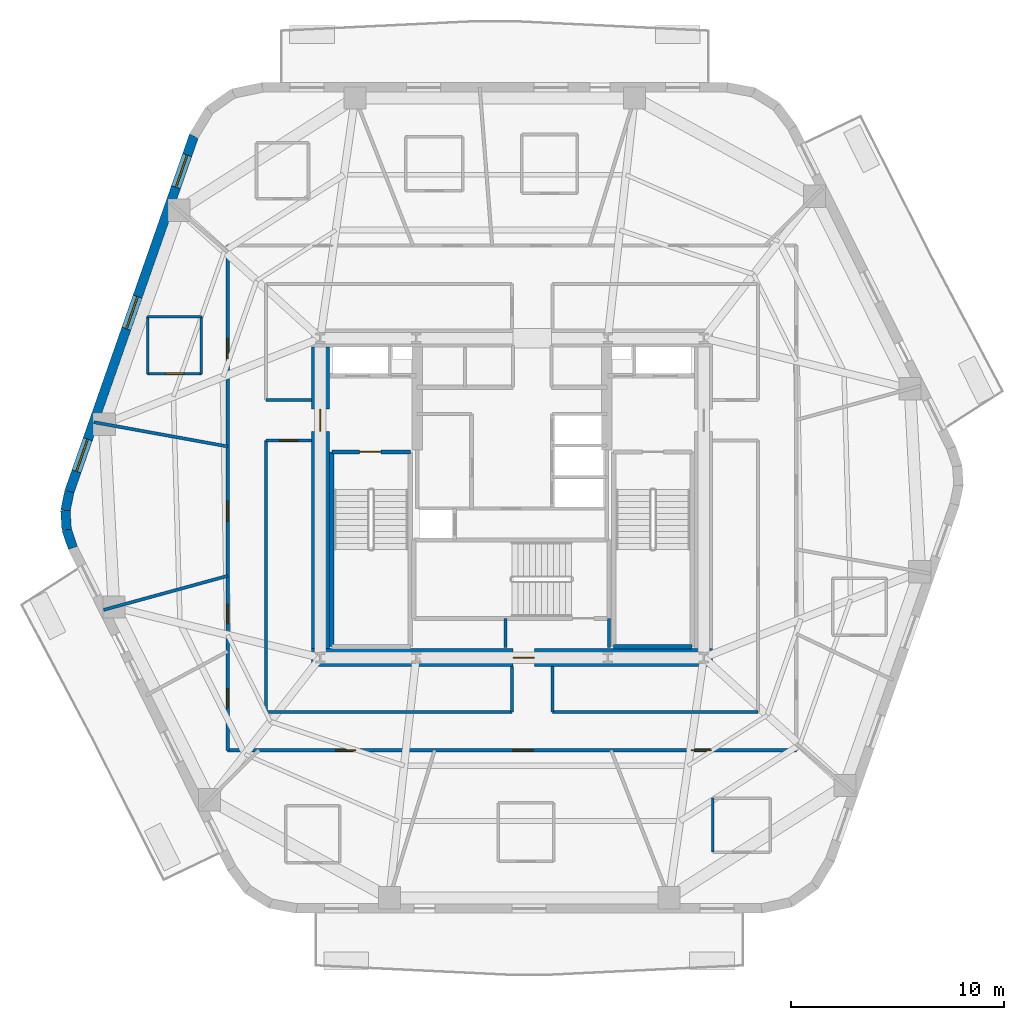
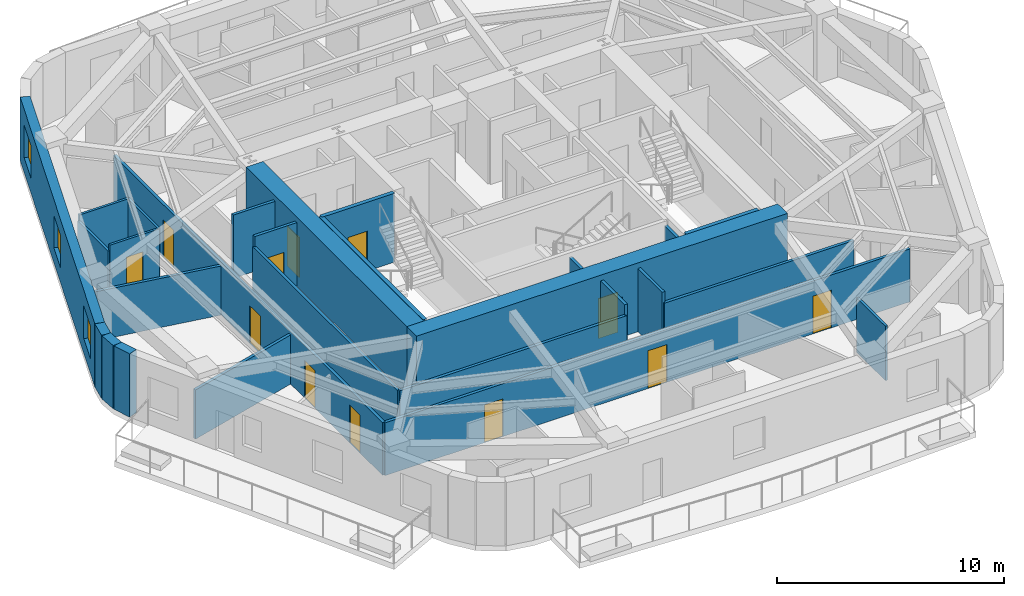
# One storey, part 3 of 10: 27 walls, 12 doors, 3 windows, 15 openings.
"""IFC4 building model written with IfcOpenShell, lengths in metres."""

from ifc_helpers import new_model, si_unit, direction, frame, frame_2d, origin, place, context, subcontext, project, spatial, rectangle, extrude, material, layer, layer_set, type_object, element, fill, save


model = new_model("IFC4")

# Units and contexts
model_context = context("Model", 3, precision=1e-05, world=origin(), true_north=direction((0.0, 1.0)))
body_context = subcontext(model_context, "Body", "Model", "MODEL_VIEW")
ifc_project = project(units=[si_unit("LENGTHUNIT", "METRE"), si_unit("AREAUNIT", "SQUARE_METRE"), si_unit("VOLUMEUNIT", "CUBIC_METRE"), si_unit("PLANEANGLEUNIT", "RADIAN"), si_unit("MASSUNIT", "GRAM", prefix="KILO")], contexts=[model_context])

# Site, building, storey
site_placement = place(None, origin())
site = spatial("IfcSite", under=ifc_project, at=site_placement, CompositionType="ELEMENT")
building_placement = place(site_placement, origin())
building = spatial("IfcBuilding", under=site, at=building_placement, Name="Kilnhurst Terrace Hotel", CompositionType="ELEMENT")
storey_placement = place(building_placement, frame((0.0, 0.0, 148.0)))
storey = spatial("IfcBuildingStorey", under=building, at=storey_placement, Name="L36", CompositionType="ELEMENT", Elevation=148.0)

# Walls
ifc_material_1 = material(Name="Precast concrete C40/50", Category="concrete")
ifc_layer_1 = layer(ifc_material_1, 0.449951171875, Name="Precast concrete C40/50")
ifc_layer_set_1 = layer_set([ifc_layer_1], Name="Precast concrete C40/50")
wall_type_1 = type_object("IfcWallType", Name="WL-BRK-450", PredefinedType="SOLIDWALL", material=ifc_layer_set_1)
wall_1_placement = place(storey_placement, frame((-20.78173828125, 0.298095703125, 0.0), z_axis=(0.0, 0.0, 1.0), x_axis=(-0.202570068411, -0.979267771033, 0.0)))
element("IfcWall", 1, at=wall_1_placement, inside=storey, type_object=wall_type_1, Name="L36 Rounded Corner Brick Wall C6.1", PredefinedType="SOLIDWALL", context=body_context, shape_type="SweptSolid", body=[
    extrude(rectangle(XDim=0.90869140625, YDim=0.449951171875, at=frame_2d((0.454345703125, 0.0))), origin(), (0.0, 0.0, 1.0), 3.39990234375),
])
wall_2_placement = place(storey_placement, frame((-20.9658203125, -0.591796875, 0.0), z_axis=(0.0, 0.0, 1.0), x_axis=(0.061748898935, -0.998091715966, 0.0)))
element("IfcWall", 2, at=wall_2_placement, inside=storey, type_object=wall_type_1, Name="L36 Rounded Corner Brick Wall C6.2", PredefinedType="SOLIDWALL", context=body_context, shape_type="SweptSolid", body=[
    extrude(rectangle(XDim=0.8935546875, YDim=0.449951171875, at=frame_2d((0.44677734375, 0.0))), origin(), (0.0, 0.0, 1.0), 3.39990234375),
])
wall_3_placement = place(storey_placement, frame((-20.91064453125, -1.483642578125, 0.0), z_axis=(0.0, 0.0, 1.0), x_axis=(0.321623334353, -0.946867694453, 0.0)))
element("IfcWall", 3, at=wall_3_placement, inside=storey, type_object=wall_type_1, Name="L36 Rounded Corner Brick Wall C6.3", PredefinedType="SOLIDWALL", context=body_context, shape_type="SweptSolid", body=[
    extrude(rectangle(XDim=0.90869140625, YDim=0.449951171875, at=frame_2d((0.454345703125, 0.0))), origin(), (0.0, 0.0, 1.0), 3.39990234375),
])

# Wall, openings, windows
wall_4_placement = place(storey_placement, frame((-14.936767578125, 16.993408203125, 0.0), z_axis=(0.0, 0.0, 1.0), x_axis=(-0.330431575061, -0.943829949834, 0.0)))
wall_4 = element("IfcWall", 4, at=wall_4_placement, inside=storey, type_object=wall_type_1, Name="L36 Exterior Brick Facade Wall F5", PredefinedType="SOLIDWALL", context=body_context, shape_type="SweptSolid", body=[
    extrude(rectangle(XDim=17.68896484375, YDim=0.449951171875, at=frame_2d((8.844482421875, 0.0))), origin(), (0.0, 0.0, 1.0), 3.39990234375),
])
opening_1_placement = place(wall_4_placement, frame((0.949951171875, 0.0, 0.800048828125)))
opening_1 = element("IfcOpeningElement", 5, at=opening_1_placement, cuts=wall_4, Name="Opening W-05", PredefinedType="OPENING", context=body_context, shape_type="SweptSolid", body=[
    extrude(rectangle(XDim=1.60009765625, YDim=1.75, at=frame_2d((0.800048828125, 0.875))), frame((0.0, 0.23486328125, 0.0), z_axis=(0.0, -1.0, 0.0), x_axis=(1.0, 0.0, 0.0)), (0.0, 0.0, 1.0), 0.469970703125),
])
opening_2_placement = place(wall_4_placement, frame((7.989990234375, 0.0, 0.800048828125)))
opening_2 = element("IfcOpeningElement", 6, at=opening_2_placement, cuts=wall_4, Name="Opening W-05", PredefinedType="OPENING", context=body_context, shape_type="SweptSolid", body=[
    extrude(rectangle(XDim=1.60009765625, YDim=1.75, at=frame_2d((0.800048828125, 0.875))), frame((0.0, 0.23486328125, 0.0), z_axis=(0.0, -1.0, 0.0), x_axis=(1.0, 0.0, 0.0)), (0.0, 0.0, 1.0), 0.469970703125),
])
opening_3_placement = place(wall_4_placement, frame((15.083984375, 0.0, 0.800048828125)))
opening_3 = element("IfcOpeningElement", 7, at=opening_3_placement, cuts=wall_4, Name="Opening W-05", PredefinedType="OPENING", context=body_context, shape_type="SweptSolid", body=[
    extrude(rectangle(XDim=1.60009765625, YDim=1.75, at=frame_2d((0.800048828125, 0.875))), frame((0.0, 0.23486328125, 0.0), z_axis=(0.0, -1.0, 0.0), x_axis=(1.0, 0.0, 0.0)), (0.0, 0.0, 1.0), 0.469970703125),
])
ifc_material_2 = material(Name="Thermally Broken Bronze Aluminium Alloy 6063-T6 and Low-E Glass", Category="aluminium")
window_type = type_object("IfcWindowType", Name="WIN-1600X1750", PartitioningType="SINGLE_PANEL", PredefinedType="WINDOW", material=ifc_material_2)
window_1_placement = place(opening_1_placement, origin())
window_1 = element("IfcWindow", 8, at=window_1_placement, inside=storey, type_object=window_type, Name="L36 Deep-Set Masonry Window F5.1", OverallHeight=1.75, OverallWidth=1.60009765625, PartitioningType="SINGLE_PANEL", PredefinedType="WINDOW", context=body_context, shape_type="SweptSolid", body=[
    extrude(rectangle(XDim=1.60009765625, YDim=1.75, at=frame_2d((0.800048828125, 0.875))), frame((0.0, 0.030029296875, 0.0), z_axis=(0.0, -1.0, 0.0), x_axis=(1.0, 0.0, 0.0)), (0.0, 0.0, 1.0), 0.06005859375),
])
fill(opening_1, window_1)
window_2_placement = place(opening_2_placement, origin())
window_2 = element("IfcWindow", 9, at=window_2_placement, inside=storey, type_object=window_type, Name="L36 Deep-Set Masonry Window F5.2", OverallHeight=1.75, OverallWidth=1.60009765625, PartitioningType="SINGLE_PANEL", PredefinedType="WINDOW", context=body_context, shape_type="SweptSolid", body=[
    extrude(rectangle(XDim=1.60009765625, YDim=1.75, at=frame_2d((0.800048828125, 0.875))), frame((0.0, 0.030029296875, 0.0), z_axis=(0.0, -1.0, 0.0), x_axis=(1.0, 0.0, 0.0)), (0.0, 0.0, 1.0), 0.06005859375),
])
fill(opening_2, window_2)
window_3_placement = place(opening_3_placement, origin())
window_3 = element("IfcWindow", 10, at=window_3_placement, inside=storey, type_object=window_type, Name="L36 Deep-Set Masonry Window F5.3", OverallHeight=1.75, OverallWidth=1.60009765625, PartitioningType="SINGLE_PANEL", PredefinedType="WINDOW", context=body_context, shape_type="SweptSolid", body=[
    extrude(rectangle(XDim=1.60009765625, YDim=1.75, at=frame_2d((0.800048828125, 0.875))), frame((0.0, 0.030029296875, 0.0), z_axis=(0.0, -1.0, 0.0), x_axis=(1.0, 0.0, 0.0)), (0.0, 0.0, 1.0), 0.06005859375),
])
fill(opening_3, window_3)

# Wall, openings, doors
ifc_material_3 = material(Name="Acoustic Double-Gypsum Corridor Partition Assembly")
ifc_layer_2 = layer(ifc_material_3, 0.14990234375, Name="Acoustic Double-Gypsum Corridor Partition Assembly")
ifc_layer_set_2 = layer_set([ifc_layer_2], Name="Acoustic Double-Gypsum Corridor Partition Assembly")
wall_type_2 = type_object("IfcWallType", Name="WL-COR-150", PredefinedType="PARTITIONING", material=ifc_layer_set_2)
wall_5_placement = place(storey_placement, frame((13.35009765625, -11.85009765625, 0.0), z_axis=(0.0, 0.0, 1.0), x_axis=(-1.0, 0.0, 0.0)))
wall_5 = element("IfcWall", 11, at=wall_5_placement, inside=storey, type_object=wall_type_2, Name="L36 Interior Wall WL-L36-COR-01", PredefinedType="PARTITIONING", context=body_context, shape_type="SweptSolid", body=[
    extrude(rectangle(XDim=26.7001953125, YDim=0.14990234375, at=frame_2d((13.35009765625, 0.0))), origin(), (0.0, 0.0, 1.0), 2.840087890625),
])
opening_4_placement = place(wall_5_placement, frame((20.681884765625, 0.0, 0.0)))
opening_4 = element("IfcOpeningElement", 12, at=opening_4_placement, cuts=wall_5, Name="Opening D-60B", PredefinedType="OPENING", context=body_context, shape_type="SweptSolid", body=[
    extrude(rectangle(XDim=0.949951171875, YDim=2.030029296875, at=frame_2d((0.47509765625, 1.01513671875))), frame((0.0, 0.0849609375, 0.0), z_axis=(0.0, -1.0, 0.0), x_axis=(1.0, 0.0, 0.0)), (0.0, 0.0, 1.0), 0.169921875),
])
opening_5_placement = place(wall_5_placement, frame((12.362060546875, 0.0, 0.0)))
opening_5 = element("IfcOpeningElement", 13, at=opening_5_placement, cuts=wall_5, Name="Opening D-60B", PredefinedType="OPENING", context=body_context, shape_type="SweptSolid", body=[
    extrude(rectangle(XDim=0.949951171875, YDim=2.030029296875, at=frame_2d((0.47509765625, 1.01513671875))), frame((0.0, 0.0849609375, 0.0), z_axis=(0.0, -1.0, 0.0), x_axis=(1.0, 0.0, 0.0)), (0.0, 0.0, 1.0), 0.169921875),
])
opening_6_placement = place(wall_5_placement, frame((3.9951171875, 0.0, 0.0)))
opening_6 = element("IfcOpeningElement", 14, at=opening_6_placement, cuts=wall_5, Name="Opening D-60B", PredefinedType="OPENING", context=body_context, shape_type="SweptSolid", body=[
    extrude(rectangle(XDim=0.949951171875, YDim=2.030029296875, at=frame_2d((0.47509765625, 1.01513671875))), frame((0.0, 0.0849609375, 0.0), z_axis=(0.0, -1.0, 0.0), x_axis=(1.0, 0.0, 0.0)), (0.0, 0.0, 1.0), 0.169921875),
])
ifc_material_4 = material(Name="Acoustic Walnut Veneer Solid-Core Fire Door")
door_type_1 = type_object("IfcDoorType", Name="DR-FD60-950", OperationType="NOTDEFINED", PredefinedType="DOOR", material=ifc_material_4)
door_1_placement = place(opening_4_placement, origin())
door_1 = element("IfcDoor", 15, at=door_1_placement, inside=storey, type_object=door_type_1, Name="L36 Executive Suite Entry Door 10", OperationType="SINGLE_SWING_RIGHT", OverallHeight=2.030029296875, OverallWidth=0.949951171875, PredefinedType="DOOR", context=body_context, shape_type="SweptSolid", body=[
    extrude(rectangle(XDim=0.949951171875, YDim=2.030029296875, at=frame_2d((0.47509765625, 1.01513671875))), frame((0.0, 0.02490234375, 0.0), z_axis=(0.0, -1.0, 0.0), x_axis=(1.0, 0.0, 0.0)), (0.0, 0.0, 1.0), 0.050048828125),
])
fill(opening_4, door_1)
door_2_placement = place(opening_5_placement, origin())
door_2 = element("IfcDoor", 16, at=door_2_placement, inside=storey, type_object=door_type_1, Name="L36 Executive Suite Entry Door 11", OperationType="SINGLE_SWING_LEFT", OverallHeight=2.030029296875, OverallWidth=0.949951171875, PredefinedType="DOOR", context=body_context, shape_type="SweptSolid", body=[
    extrude(rectangle(XDim=0.949951171875, YDim=2.030029296875, at=frame_2d((0.47509765625, 1.01513671875))), frame((0.0, 0.02490234375, 0.0), z_axis=(0.0, -1.0, 0.0), x_axis=(1.0, 0.0, 0.0)), (0.0, 0.0, 1.0), 0.050048828125),
])
fill(opening_5, door_2)
door_3_placement = place(opening_6_placement, origin())
door_3 = element("IfcDoor", 17, at=door_3_placement, inside=storey, type_object=door_type_1, Name="L36 Executive Suite Entry Door 12", OperationType="SINGLE_SWING_RIGHT", OverallHeight=2.030029296875, OverallWidth=0.949951171875, PredefinedType="DOOR", context=body_context, shape_type="SweptSolid", body=[
    extrude(rectangle(XDim=0.949951171875, YDim=2.030029296875, at=frame_2d((0.47509765625, 1.01513671875))), frame((0.0, 0.02490234375, 0.0), z_axis=(0.0, -1.0, 0.0), x_axis=(1.0, 0.0, 0.0)), (0.0, 0.0, 1.0), 0.050048828125),
])
fill(opening_6, door_3)

wall_6_placement = place(storey_placement, frame((-13.35009765625, -11.85009765625, 0.0), z_axis=(0.0, 0.0, 1.0), x_axis=(0.0, 1.0, 0.0)))
wall_6 = element("IfcWall", 18, at=wall_6_placement, inside=storey, type_object=wall_type_2, Name="L36 Interior Wall WL-L36-COR-02", PredefinedType="PARTITIONING", context=body_context, shape_type="SweptSolid", body=[
    extrude(rectangle(XDim=23.7001953125, YDim=0.14990234375, at=frame_2d((11.85009765625, 0.0))), origin(), (0.0, 0.0, 1.0), 2.840087890625),
])
opening_7_placement = place(wall_6_placement, frame((18.388916015625, 0.0, 0.0)))
opening_7 = element("IfcOpeningElement", 19, at=opening_7_placement, cuts=wall_6, Name="Opening D-60B", PredefinedType="OPENING", context=body_context, shape_type="SweptSolid", body=[
    extrude(rectangle(XDim=0.949951171875, YDim=2.030029296875, at=frame_2d((0.47509765625, 1.01513671875))), frame((0.0, 0.0849609375, 0.0), z_axis=(0.0, -1.0, 0.0), x_axis=(1.0, 0.0, 0.0)), (0.0, 0.0, 1.0), 0.169921875),
])
opening_8_placement = place(wall_6_placement, frame((10.7509765625, 0.0, 0.0)))
opening_8 = element("IfcOpeningElement", 20, at=opening_8_placement, cuts=wall_6, Name="Opening D-60B", PredefinedType="OPENING", context=body_context, shape_type="SweptSolid", body=[
    extrude(rectangle(XDim=0.949951171875, YDim=2.030029296875, at=frame_2d((0.47509765625, 1.01513671875))), frame((0.0, 0.0849609375, 0.0), z_axis=(0.0, -1.0, 0.0), x_axis=(1.0, 0.0, 0.0)), (0.0, 0.0, 1.0), 0.169921875),
])
opening_9_placement = place(wall_6_placement, frame((5.950927734375, 0.0, 0.0)))
opening_9 = element("IfcOpeningElement", 21, at=opening_9_placement, cuts=wall_6, Name="Opening D-60C", PredefinedType="OPENING", context=body_context, shape_type="SweptSolid", body=[
    extrude(rectangle(XDim=0.89990234375, YDim=2.030029296875, at=frame_2d((0.449951171875, 1.01513671875))), frame((0.0, 0.0849609375, 0.0), z_axis=(0.0, -1.0, 0.0), x_axis=(1.0, 0.0, 0.0)), (0.0, 0.0, 1.0), 0.169921875),
])
opening_10_placement = place(wall_6_placement, frame((1.992919921875, 0.0, 0.0)))
opening_10 = element("IfcOpeningElement", 22, at=opening_10_placement, cuts=wall_6, Name="Opening D-60C", PredefinedType="OPENING", context=body_context, shape_type="SweptSolid", body=[
    extrude(rectangle(XDim=0.89990234375, YDim=2.030029296875, at=frame_2d((0.449951171875, 1.01513671875))), frame((0.0, 0.0849609375, 0.0), z_axis=(0.0, -1.0, 0.0), x_axis=(1.0, 0.0, 0.0)), (0.0, 0.0, 1.0), 0.169921875),
])
ifc_material_5 = material(Name="Painted Solid-Core Service Fire Door")
door_type_2 = type_object("IfcDoorType", Name="DR-FD60-900", OperationType="NOTDEFINED", PredefinedType="DOOR", material=ifc_material_5)
door_4_placement = place(opening_9_placement, origin())
door_4 = element("IfcDoor", 23, at=door_4_placement, inside=storey, type_object=door_type_2, Name="L36 Executive Work Office Door 8", OperationType="SINGLE_SWING_RIGHT", OverallHeight=2.030029296875, OverallWidth=0.89990234375, PredefinedType="DOOR", context=body_context, shape_type="SweptSolid", body=[
    extrude(rectangle(XDim=0.89990234375, YDim=2.030029296875, at=frame_2d((0.449951171875, 1.01513671875))), frame((0.0, 0.02490234375, 0.0), z_axis=(0.0, -1.0, 0.0), x_axis=(1.0, 0.0, 0.0)), (0.0, 0.0, 1.0), 0.050048828125),
])
fill(opening_9, door_4)
door_5_placement = place(opening_10_placement, origin())
door_5 = element("IfcDoor", 24, at=door_5_placement, inside=storey, type_object=door_type_2, Name="L36 Botanical Reading Lounge Door 9", OperationType="SINGLE_SWING_LEFT", OverallHeight=2.030029296875, OverallWidth=0.89990234375, PredefinedType="DOOR", context=body_context, shape_type="SweptSolid", body=[
    extrude(rectangle(XDim=0.89990234375, YDim=2.030029296875, at=frame_2d((0.449951171875, 1.01513671875))), frame((0.0, 0.02490234375, 0.0), z_axis=(0.0, -1.0, 0.0), x_axis=(1.0, 0.0, 0.0)), (0.0, 0.0, 1.0), 0.050048828125),
])
fill(opening_10, door_5)
door_6_placement = place(opening_7_placement, origin())
door_6 = element("IfcDoor", 25, at=door_6_placement, inside=storey, type_object=door_type_1, Name="L36 Guest Room Entry Door 6", OperationType="SINGLE_SWING_RIGHT", OverallHeight=2.030029296875, OverallWidth=0.949951171875, PredefinedType="DOOR", context=body_context, shape_type="SweptSolid", body=[
    extrude(rectangle(XDim=0.949951171875, YDim=2.030029296875, at=frame_2d((0.47509765625, 1.01513671875))), frame((0.0, 0.02490234375, 0.0), z_axis=(0.0, -1.0, 0.0), x_axis=(1.0, 0.0, 0.0)), (0.0, 0.0, 1.0), 0.050048828125),
])
fill(opening_7, door_6)
door_7_placement = place(opening_8_placement, origin())
door_7 = element("IfcDoor", 26, at=door_7_placement, inside=storey, type_object=door_type_1, Name="L36 Wellness Treatment Room Door", OperationType="SINGLE_SWING_LEFT", OverallHeight=2.030029296875, OverallWidth=0.949951171875, PredefinedType="DOOR", context=body_context, shape_type="SweptSolid", body=[
    extrude(rectangle(XDim=0.949951171875, YDim=2.030029296875, at=frame_2d((0.47509765625, 1.01513671875))), frame((0.0, 0.02490234375, 0.0), z_axis=(0.0, -1.0, 0.0), x_axis=(1.0, 0.0, 0.0)), (0.0, 0.0, 1.0), 0.050048828125),
])
fill(opening_8, door_7)

# Wall
wall_7_placement = place(storey_placement, frame((-11.550048828125, 4.60009765625, 0.0), z_axis=(0.0, 0.0, 1.0), x_axis=(1.0, 0.0, 0.0)))
element("IfcWall", 27, at=wall_7_placement, inside=storey, type_object=wall_type_2, Name="L36 Interior Wall WL-L36-COR-14", PredefinedType="PARTITIONING", context=body_context, shape_type="SweptSolid", body=[
    extrude(rectangle(XDim=2.125, YDim=0.14990234375, at=frame_2d((1.0625, 0.0))), origin(), (0.0, 0.0, 1.0), 3.39990234375),
])

# Wall, opening, door
wall_8_placement = place(storey_placement, frame((-9.425048828125, 2.699951171875, 0.0), z_axis=(0.0, 0.0, 1.0), x_axis=(-1.0, 0.0, 0.0)))
wall_8 = element("IfcWall", 28, at=wall_8_placement, inside=storey, type_object=wall_type_2, Name="L36 Interior Wall WL-L36-COR-15", PredefinedType="PARTITIONING", context=body_context, shape_type="SweptSolid", body=[
    extrude(rectangle(XDim=2.125, YDim=0.14990234375, at=frame_2d((1.0625, 0.0))), origin(), (0.0, 0.0, 1.0), 3.39990234375),
])
opening_11_placement = place(wall_8_placement, frame((0.636962890625, 0.0, 0.0)))
opening_11 = element("IfcOpeningElement", 29, at=opening_11_placement, cuts=wall_8, Name="Opening D-60D", PredefinedType="OPENING", context=body_context, shape_type="SweptSolid", body=[
    extrude(rectangle(XDim=0.85009765625, YDim=2.030029296875, at=frame_2d((0.425048828125, 1.01513671875))), frame((0.0, 0.0849609375, 0.0), z_axis=(0.0, -1.0, 0.0), x_axis=(1.0, 0.0, 0.0)), (0.0, 0.0, 1.0), 0.169921875),
])
ifc_material_6 = material(Name="Painted Hollow Metal Steel ASTM A36 Riser Door", Category="steel")
door_type_3 = type_object("IfcDoorType", Name="DR-FD60-850", OperationType="NOTDEFINED", PredefinedType="DOOR", material=ifc_material_6)
door_8_placement = place(opening_11_placement, origin())
door_8 = element("IfcDoor", 30, at=door_8_placement, inside=storey, type_object=door_type_3, Name="L36 Floor Linen Storage Room Door", OperationType="SINGLE_SWING_LEFT", OverallHeight=2.030029296875, OverallWidth=0.85009765625, PredefinedType="DOOR", context=body_context, shape_type="SweptSolid", body=[
    extrude(rectangle(XDim=0.85009765625, YDim=2.030029296875, at=frame_2d((0.425048828125, 1.01513671875))), frame((0.0, 0.02490234375, 0.0), z_axis=(0.0, -1.0, 0.0), x_axis=(1.0, 0.0, 0.0)), (0.0, 0.0, 1.0), 0.050048828125),
])
fill(opening_11, door_8)

# Walls
wall_9_placement = place(storey_placement, frame((-11.550048828125, 2.699951171875, 0.0), z_axis=(0.0, 0.0, 1.0), x_axis=(0.0, -1.0, 0.0)))
element("IfcWall", 31, at=wall_9_placement, inside=storey, type_object=wall_type_2, Name="L36 Interior Wall WL-L36-COR-16", PredefinedType="PARTITIONING", context=body_context, shape_type="SweptSolid", body=[
    extrude(rectangle(XDim=12.75, YDim=0.14990234375, at=frame_2d((6.375, 0.0))), origin(), (0.0, 0.0, 1.0), 2.840087890625),
])
wall_10_placement = place(storey_placement, frame((-11.550048828125, -10.050048828125, 0.0), z_axis=(0.0, 0.0, 1.0), x_axis=(1.0, 0.0, 0.0)))
element("IfcWall", 32, at=wall_10_placement, inside=storey, type_object=wall_type_2, Name="L36 Interior Wall WL-L36-COR-17", PredefinedType="PARTITIONING", context=body_context, shape_type="SweptSolid", body=[
    extrude(rectangle(XDim=11.550048828125, YDim=0.14990234375, at=frame_2d((5.77490234375, 0.0))), origin(), (0.0, 0.0, 1.0), 2.840087890625),
])
for number, where, z_axis, x_axis, name in (
    (33, (0.0, -10.050048828125, 0.0), (0.0, 0.0, 1.0), (0.0, 1.0, 0.0), "L36 Interior Wall WL-L36-COR-18"),
    (34, (1.89990234375, -7.925048828125, 0.0), (0.0, 0.0, 1.0), (0.0, -1.0, 0.0), "L36 Interior Wall WL-L36-COR-19"),
):
    element("IfcWall", number, at=place(storey_placement, frame(where, z_axis=z_axis, x_axis=x_axis)), inside=storey, type_object=wall_type_2, Name=name, PredefinedType="PARTITIONING", context=body_context, shape_type="SweptSolid", body=[
        extrude(rectangle(XDim=2.125, YDim=0.14990234375, at=frame_2d((1.0625, 0.0))), origin(), (0.0, 0.0, 1.0), 3.39990234375),
    ])
wall_11_placement = place(storey_placement, frame((1.89990234375, -10.050048828125, 0.0), z_axis=(0.0, 0.0, 1.0), x_axis=(1.0, 0.0, 0.0)))
element("IfcWall", 35, at=wall_11_placement, inside=storey, type_object=wall_type_2, Name="L36 Interior Wall WL-L36-COR-20", PredefinedType="PARTITIONING", context=body_context, shape_type="SweptSolid", body=[
    extrude(rectangle(XDim=9.650146484375, YDim=0.14990234375, at=frame_2d((4.8251953125, 0.0))), origin(), (0.0, 0.0, 1.0), 2.840087890625),
])

# Wall, opening, door
ifc_material_7 = material(Name="Concrete C80/95", Category="concrete")
ifc_layer_3 = layer(ifc_material_7, 0.85009765625, Name="Concrete C80/95")
ifc_layer_set_3 = layer_set([ifc_layer_3], Name="Concrete C80/95")
wall_type_3 = type_object("IfcWallType", Name="WL-CORE-850", PredefinedType="SHEAR", material=ifc_layer_set_3)
wall_12_placement = place(storey_placement, frame((-9.425048828125, -7.5, 0.0), z_axis=(0.0, 0.0, 1.0), x_axis=(1.0, 0.0, 0.0)))
wall_12 = element("IfcWall", 36, at=wall_12_placement, inside=storey, type_object=wall_type_3, Name="L36 Core South Shear Wall", PredefinedType="SHEAR", context=body_context, shape_type="SweptSolid", body=[
    extrude(rectangle(XDim=18.85009765625, YDim=0.85009765625, at=frame_2d((9.425048828125, 0.0))), origin(), (0.0, 0.0, 1.0), 3.699951171875),
])
opening_12_placement = place(wall_12_placement, frame((9.47509765625, 0.0, 0.0)))
opening_12 = element("IfcOpeningElement", 37, at=opening_12_placement, cuts=wall_12, Name="Opening D-90B", PredefinedType="OPENING", context=body_context, shape_type="SweptSolid", body=[
    extrude(rectangle(XDim=1.0, YDim=2.14990234375, at=frame_2d((0.5, 1.074951171875))), frame((0.0, 0.43505859375, 0.0), z_axis=(0.0, -1.0, 0.0), x_axis=(1.0, 0.0, 0.0)), (0.0, 0.0, 1.0), 0.8701171875),
])
ifc_material_8 = material(Name="Painted Hollow Metal Steel ASTM A36 Fire Door", Category="steel")
door_type_4 = type_object("IfcDoorType", Name="DR-FD90-1000", OperationType="NOTDEFINED", PredefinedType="DOOR", material=ifc_material_8)
door_9_placement = place(opening_12_placement, origin())
door_9 = element("IfcDoor", 38, at=door_9_placement, inside=storey, type_object=door_type_4, Name="L36 Stair ST-3 Corridor Door", OperationType="SINGLE_SWING_RIGHT", OverallHeight=2.14990234375, OverallWidth=1.0, PredefinedType="DOOR", context=body_context, shape_type="SweptSolid", body=[
    extrude(rectangle(XDim=1.0, YDim=2.14990234375, at=frame_2d((0.5, 1.074951171875))), frame((0.0, 0.02490234375, 0.0), z_axis=(0.0, -1.0, 0.0), x_axis=(1.0, 0.0, 0.0)), (0.0, 0.0, 1.0), 0.050048828125),
])
fill(opening_12, door_9)

wall_13_placement = place(storey_placement, frame((-9.0, -7.074951171875, 0.0), z_axis=(0.0, 0.0, 1.0), x_axis=(0.0, 1.0, 0.0)))
wall_13 = element("IfcWall", 39, at=wall_13_placement, inside=storey, type_object=wall_type_3, Name="L36 Core West Shear Wall", PredefinedType="SHEAR", context=body_context, shape_type="SweptSolid", body=[
    extrude(rectangle(XDim=14.14990234375, YDim=0.85009765625, at=frame_2d((7.074951171875, 0.0))), origin(), (0.0, 0.0, 1.0), 3.699951171875),
])
opening_13_placement = place(wall_13_placement, frame((10.199951171875, 0.0, 0.0)))
opening_13 = element("IfcOpeningElement", 40, at=opening_13_placement, cuts=wall_13, Name="Opening D-90A", PredefinedType="OPENING", context=body_context, shape_type="SweptSolid", body=[
    extrude(rectangle(XDim=1.050048828125, YDim=2.14990234375, at=frame_2d((0.52490234375, 1.074951171875))), frame((0.0, 0.43505859375, 0.0), z_axis=(0.0, -1.0, 0.0), x_axis=(1.0, 0.0, 0.0)), (0.0, 0.0, 1.0), 0.8701171875),
])
door_type_5 = type_object("IfcDoorType", Name="DR-FD90-1050", OperationType="NOTDEFINED", PredefinedType="DOOR", material=ifc_material_8)
door_10_placement = place(opening_13_placement, origin())
door_10 = element("IfcDoor", 41, at=door_10_placement, inside=storey, type_object=door_type_5, Name="L36 West Firefighting Lobby Door", OperationType="SINGLE_SWING_RIGHT", OverallHeight=2.14990234375, OverallWidth=1.050048828125, PredefinedType="DOOR", context=body_context, shape_type="SweptSolid", body=[
    extrude(rectangle(XDim=1.050048828125, YDim=2.14990234375, at=frame_2d((0.52490234375, 1.074951171875))), frame((0.0, 0.02490234375, 0.0), z_axis=(0.0, -1.0, 0.0), x_axis=(1.0, 0.0, 0.0)), (0.0, 0.0, 1.0), 0.050048828125),
])
fill(opening_13, door_10)

# Walls
ifc_material_9 = material(Name="STC-58 Acoustic Twin-Frame Guestroom Demising Partition")
ifc_layer_4 = layer(ifc_material_9, 0.14990234375, Name="STC-58 Acoustic Twin-Frame Guestroom Demising Partition")
ifc_layer_set_4 = layer_set([ifc_layer_4], Name="STC-58 Acoustic Twin-Frame Guestroom Demising Partition")
wall_type_4 = type_object("IfcWallType", Name="WL-DEM-150", PredefinedType="PARTITIONING", material=ifc_layer_set_4)
wall_14_placement = place(storey_placement, frame((-13.35009765625, 2.417236328125, 0.0), z_axis=(0.0, 0.0, 1.0), x_axis=(-0.98399796473, 0.178179699761, 0.0)))
element("IfcWall", 42, at=wall_14_placement, inside=storey, type_object=wall_type_4, Name="L36 Interior Wall WL-L36-DEM-COL06-07-1", PredefinedType="PARTITIONING", context=body_context, shape_type="SweptSolid", body=[
    extrude(rectangle(XDim=6.393310546875, YDim=0.14990234375, at=frame_2d((3.19677734375, 0.0))), origin(), (0.0, 0.0, 1.0), 2.639892578125),
])
wall_15_placement = place(storey_placement, frame((-13.35009765625, -3.66064453125, 0.0), z_axis=(0.0, 0.0, 1.0), x_axis=(-0.964397145454, -0.264458211898, 0.0)))
element("IfcWall", 43, at=wall_15_placement, inside=storey, type_object=wall_type_4, Name="L36 Interior Wall WL-L36-DEM-COL07-08-1", PredefinedType="PARTITIONING", context=body_context, shape_type="SweptSolid", body=[
    extrude(rectangle(XDim=6.03857421875, YDim=0.14990234375, at=frame_2d((3.019287109375, 0.0))), origin(), (0.0, 0.0, 1.0), 2.639892578125),
])

# Wall, opening, door
ifc_material_10 = material(Name="120 mm Moisture-Resistant Tile-Backed Bathroom Partition")
ifc_layer_5 = layer(ifc_material_10, 0.1201171875, Name="120 mm Moisture-Resistant Tile-Backed Bathroom Partition")
ifc_layer_set_5 = layer_set([ifc_layer_5], Name="120 mm Moisture-Resistant Tile-Backed Bathroom Partition")
wall_type_5 = type_object("IfcWallType", Name="WL-PART-120", PredefinedType="PARTITIONING", material=ifc_layer_set_5)
wall_16_placement = place(storey_placement, frame((-17.10302734375, 5.8291015625, 0.0), z_axis=(0.0, 0.0, 1.0), x_axis=(1.0, 0.0, 0.0)))
wall_16 = element("IfcWall", 44, at=wall_16_placement, inside=storey, type_object=wall_type_5, Name="L36 Interior Wall WL-L36-BTH-06-1", PredefinedType="PARTITIONING", context=body_context, shape_type="SweptSolid", body=[
    extrude(rectangle(XDim=2.52001953125, YDim=0.1201171875, at=frame_2d((1.260009765625, 0.0))), origin(), (0.0, 0.0, 1.0), 2.972412109375),
])
opening_14_placement = place(wall_16_placement, frame((0.8349609375, 0.0, 0.0)))
opening_14 = element("IfcOpeningElement", 45, at=opening_14_placement, cuts=wall_16, Name="Opening D-08A", PredefinedType="OPENING", context=body_context, shape_type="SweptSolid", body=[
    extrude(rectangle(XDim=0.85009765625, YDim=2.030029296875, at=frame_2d((0.425048828125, 1.01513671875))), frame((0.0, 0.070068359375, 0.0), z_axis=(0.0, -1.0, 0.0), x_axis=(1.0, 0.0, 0.0)), (0.0, 0.0, 1.0), 0.14013671875),
])
ifc_material_11 = material(Name="Moisture-Resistant Lacquered En-suite Bathroom Door")
door_type_6 = type_object("IfcDoorType", Name="DR-INT-850", OperationType="NOTDEFINED", PredefinedType="DOOR", material=ifc_material_11)
door_11_placement = place(opening_14_placement, origin())
door_11 = element("IfcDoor", 46, at=door_11_placement, inside=storey, type_object=door_type_6, Name="L36 En-suite Bathroom Door 6", OperationType="SINGLE_SWING_LEFT", OverallHeight=2.030029296875, OverallWidth=0.85009765625, PredefinedType="DOOR", context=body_context, shape_type="SweptSolid", body=[
    extrude(rectangle(XDim=0.85009765625, YDim=2.030029296875, at=frame_2d((0.425048828125, 1.01513671875))), frame((0.0, 0.02490234375, 0.0), z_axis=(0.0, -1.0, 0.0), x_axis=(1.0, 0.0, 0.0)), (0.0, 0.0, 1.0), 0.050048828125),
])
fill(opening_14, door_11)

# Walls
wall_17_placement = place(storey_placement, frame((-14.5830078125, 5.8291015625, 0.0), z_axis=(0.0, 0.0, 1.0), x_axis=(0.0, 1.0, 0.0)))
element("IfcWall", 47, at=wall_17_placement, inside=storey, type_object=wall_type_5, Name="L36 Interior Wall WL-L36-BTH-06-2", PredefinedType="PARTITIONING", context=body_context, shape_type="SweptSolid", body=[
    extrude(rectangle(XDim=2.679931640625, YDim=0.1201171875, at=frame_2d((1.33984375, 0.0))), origin(), (0.0, 0.0, 1.0), 2.972412109375),
])
wall_18_placement = place(storey_placement, frame((-14.5830078125, 8.509033203125, 0.0), z_axis=(0.0, 0.0, 1.0), x_axis=(-1.0, 0.0, 0.0)))
element("IfcWall", 48, at=wall_18_placement, inside=storey, type_object=wall_type_5, Name="L36 Interior Wall WL-L36-BTH-06-3", PredefinedType="PARTITIONING", context=body_context, shape_type="SweptSolid", body=[
    extrude(rectangle(XDim=2.52001953125, YDim=0.1201171875, at=frame_2d((1.260009765625, 0.0))), origin(), (0.0, 0.0, 1.0), 2.972412109375),
])
wall_19_placement = place(storey_placement, frame((-17.10302734375, 8.509033203125, 0.0), z_axis=(0.0, 0.0, 1.0), x_axis=(0.0, -1.0, 0.0)))
element("IfcWall", 49, at=wall_19_placement, inside=storey, type_object=wall_type_5, Name="L36 Interior Wall WL-L36-BTH-06-4", PredefinedType="PARTITIONING", context=body_context, shape_type="SweptSolid", body=[
    extrude(rectangle(XDim=2.679931640625, YDim=0.1201171875, at=frame_2d((1.33984375, 0.0))), origin(), (0.0, 0.0, 1.0), 2.639892578125),
])
wall_20_placement = place(storey_placement, frame((9.43603515625, -14.092041015625, 0.0), z_axis=(0.0, 0.0, 1.0), x_axis=(0.0, -1.0, 0.0)))
element("IfcWall", 50, at=wall_20_placement, inside=storey, type_object=wall_type_5, Name="L36 Interior Wall WL-L36-BTH-12-4", PredefinedType="PARTITIONING", context=body_context, shape_type="SweptSolid", body=[
    extrude(rectangle(XDim=2.5400390625, YDim=0.1201171875, at=frame_2d((1.27001953125, 0.0))), origin(), (0.0, 0.0, 1.0), 2.926513671875),
])
ifc_material_12 = material(Name="Fire-Rated Gypsum Shaftliner Assembly")
ifc_layer_6 = layer(ifc_material_12, 0.14990234375, Name="Fire-Rated Gypsum Shaftliner Assembly")
ifc_layer_set_6 = layer_set([ifc_layer_6], Name="Fire-Rated Gypsum Shaftliner Assembly")
wall_type_6 = type_object("IfcWallType", Name="WL-SHAFT-150", PredefinedType="PARTITIONING", material=ifc_layer_set_6)
for number, where, z_axis, x_axis, name in (
    (51, (-0.300048828125, -7.02001953125, 0.0), (0.0, 0.0, 1.0), (0.0, 1.0, 0.0), "L36 Interior Wall WL-L36-ST3-PSGW"),
    (52, (4.55810546875, -7.02001953125, 0.0), (0.0, 0.0, 1.0), (0.0, 1.0, 0.0), "L36 Interior Wall WL-L36-ST3-PSGE"),
):
    element("IfcWall", number, at=place(storey_placement, frame(where, z_axis=z_axis, x_axis=x_axis)), inside=storey, type_object=wall_type_6, Name=name, PredefinedType="PARTITIONING", context=body_context, shape_type="SweptSolid", body=[
        extrude(rectangle(XDim=1.362060546875, YDim=0.14990234375, at=frame_2d((0.68115234375, 0.0))), origin(), (0.0, 0.0, 1.0), 3.39990234375),
    ])
ifc_material_13 = material(Name="Concrete C50/60", Category="concrete")
ifc_layer_7 = layer(ifc_material_13, 0.199951171875, Name="Concrete C50/60")
ifc_layer_set_7 = layer_set([ifc_layer_7], Name="Concrete C50/60")
wall_type_7 = type_object("IfcWallType", Name="WL-STAIR-RC-200", PredefinedType="SHEAR", material=ifc_layer_set_7)
wall_21_placement = place(storey_placement, frame((-8.4580078125, -6.985107421875, 0.0), z_axis=(0.0, 0.0, 1.0), x_axis=(0.0, 1.0, 0.0)))
element("IfcWall", 53, at=wall_21_placement, inside=storey, type_object=wall_type_7, Name="L36 Structural Stair Shaft Wall WL-L36-ST1-W", PredefinedType="SHEAR", context=body_context, shape_type="SweptSolid", body=[
    extrude(rectangle(XDim=9.14306640625, YDim=0.199951171875, at=frame_2d((4.571533203125, 0.0))), origin(), (0.0, 0.0, 1.0), 3.699951171875),
])

# Wall, opening, door
wall_22_placement = place(storey_placement, frame((-8.4580078125, 2.157958984375, 0.0), z_axis=(0.0, 0.0, 1.0), x_axis=(1.0, 0.0, 0.0)))
wall_22 = element("IfcWall", 54, at=wall_22_placement, inside=storey, type_object=wall_type_7, Name="L36 Structural Stair Shaft Wall WL-L36-ST1-N", PredefinedType="SHEAR", context=body_context, shape_type="SweptSolid", body=[
    extrude(rectangle(XDim=3.68603515625, YDim=0.199951171875, at=frame_2d((1.843017578125, 0.0))), origin(), (0.0, 0.0, 1.0), 3.699951171875),
])
opening_15_placement = place(wall_22_placement, frame((1.300048828125, 0.0, 0.0)))
opening_15 = element("IfcOpeningElement", 55, at=opening_15_placement, cuts=wall_22, Name="Opening D-90B", PredefinedType="OPENING", context=body_context, shape_type="SweptSolid", body=[
    extrude(rectangle(XDim=1.0, YDim=2.14990234375, at=frame_2d((0.5, 1.074951171875))), frame((0.0, 0.10986328125, 0.0), z_axis=(0.0, -1.0, 0.0), x_axis=(1.0, 0.0, 0.0)), (0.0, 0.0, 1.0), 0.219970703125),
])
door_12_placement = place(opening_15_placement, origin())
door_12 = element("IfcDoor", 56, at=door_12_placement, inside=storey, type_object=door_type_4, Name="L36 Stair ST-1 Door", OperationType="SINGLE_SWING_LEFT", OverallHeight=2.14990234375, OverallWidth=1.0, PredefinedType="DOOR", context=body_context, shape_type="SweptSolid", body=[
    extrude(rectangle(XDim=1.0, YDim=2.14990234375, at=frame_2d((0.5, 1.074951171875))), frame((0.0, 0.02490234375, 0.0), z_axis=(0.0, -1.0, 0.0), x_axis=(1.0, 0.0, 0.0)), (0.0, 0.0, 1.0), 0.050048828125),
])
fill(opening_15, door_12)

# Wall
wall_23_placement = place(storey_placement, frame((4.77197265625, -6.985107421875, 0.0), z_axis=(0.0, 0.0, 1.0), x_axis=(1.0, 0.0, 0.0)))
element("IfcWall", 57, at=wall_23_placement, inside=storey, type_object=wall_type_7, Name="L36 Structural Stair Shaft Wall WL-L36-ST2-S", PredefinedType="SHEAR", context=body_context, shape_type="SweptSolid", body=[
    extrude(rectangle(XDim=3.68603515625, YDim=0.199951171875, at=frame_2d((1.843017578125, 0.0))), origin(), (0.0, 0.0, 1.0), 3.699951171875),
])

save(model, "model.ifc")
